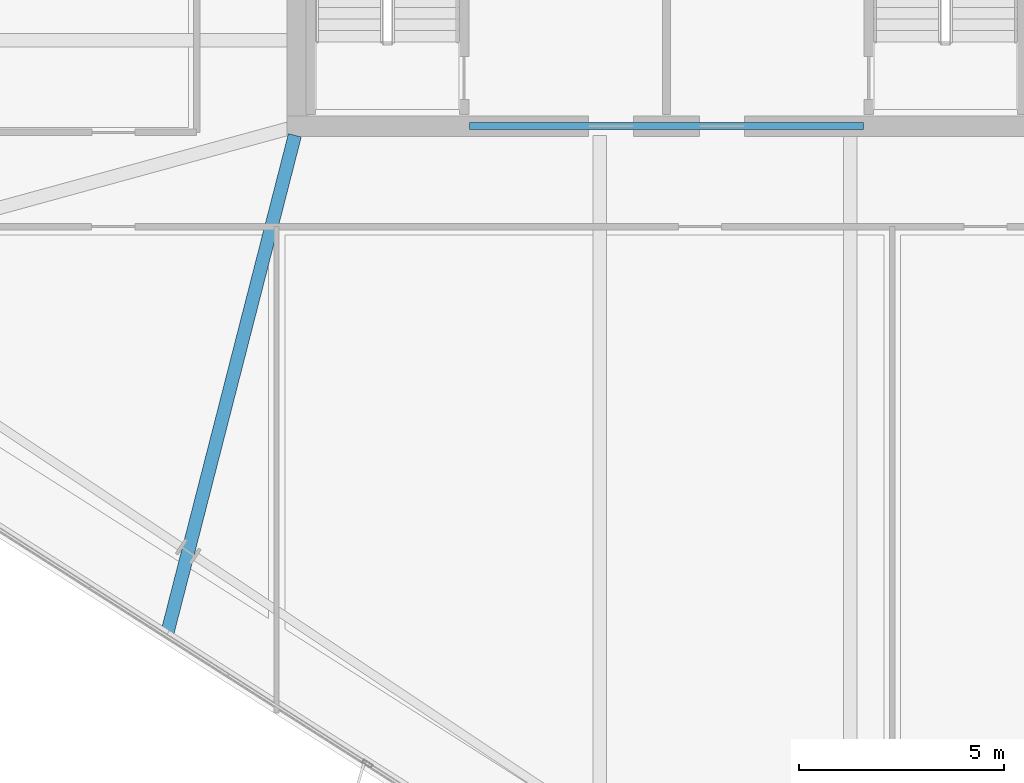
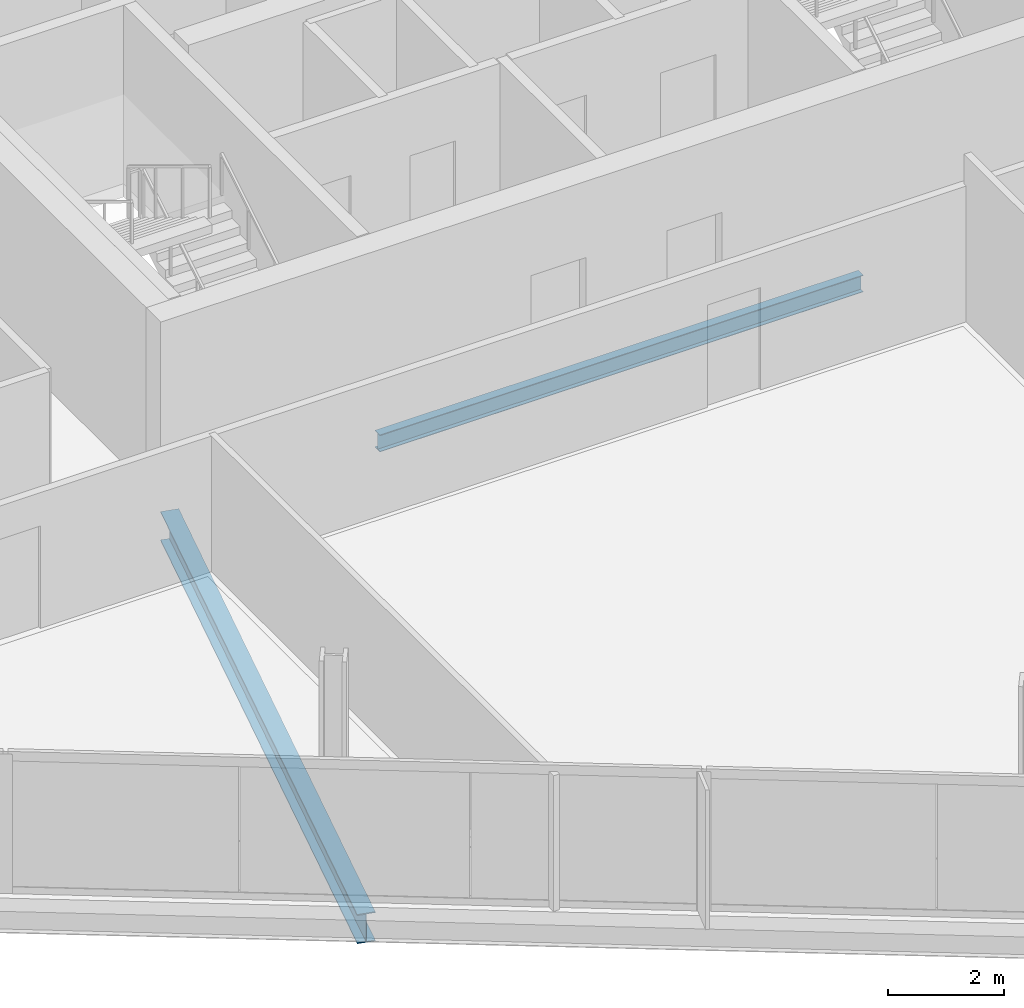
# One storey, part 7 of 30: 2 beams.
"""IFC4 building model written with IfcOpenShell, lengths in metres."""

from ifc_helpers import new_model, si_unit, direction, frame, origin, origin_2d, place, context, subcontext, project, spatial, i_section, extrude, material, material_profile, profile_set, type_object, element, save


model = new_model("IFC4")

# Units and contexts
model_context = context("Model", 3, precision=1e-05, world=origin(), true_north=direction((0.0, 1.0)))
body_context = subcontext(model_context, "Body", "Model", "MODEL_VIEW")
ifc_project = project(units=[si_unit("LENGTHUNIT", "METRE"), si_unit("AREAUNIT", "SQUARE_METRE"), si_unit("VOLUMEUNIT", "CUBIC_METRE"), si_unit("PLANEANGLEUNIT", "RADIAN"), si_unit("MASSUNIT", "GRAM", prefix="KILO")], contexts=[model_context])

# Site, building, storey
site_placement = place(None, origin())
site = spatial("IfcSite", under=ifc_project, at=site_placement, CompositionType="ELEMENT")
building_placement = place(site_placement, origin())
building = spatial("IfcBuilding", under=site, at=building_placement, Name="Haldenkirk Collegiate Tower", CompositionType="ELEMENT")
storey_placement = place(building_placement, frame((0.0, 0.0, 220.949951171875)))
storey = spatial("IfcBuildingStorey", under=building, at=storey_placement, Name="L55", CompositionType="ELEMENT", Elevation=220.949951171875)

# Beams
ifc_material = material(Name="Steel ASTM A992 Grade 50", Category="steel")
ifc_material_profile_1 = material_profile(ifc_material, i_section(OverallWidth=0.324951171875, OverallDepth=0.615966796875, WebThickness=0.013916015625, FlangeThickness=0.021484375, at=origin_2d()), Name="W24X117")
ifc_profile_set_1 = profile_set([ifc_material_profile_1], Name="Steel ASTM A992 Grade 50")
beam_type_1 = type_object("IfcBeamType", Name="BM-GIRDER-W24X117", PredefinedType="BEAM", material=ifc_profile_set_1)
beam_1_placement = place(storey_placement, frame((23.827392578125, 5.618408203125, -0.587890625), z_axis=(0.248215766102, 0.968704771052, 0.0), x_axis=(-0.968704771052, 0.248215766102, 0.0)))
element("IfcBeam", 1, at=beam_1_placement, inside=storey, type_object=beam_type_1, Name="L55 primary floor girder 15", PredefinedType="BEAM", context=body_context, shape_type="SweptSolid", body=[
    extrude(i_section(OverallWidth=0.324951171875, OverallDepth=0.615966796875, WebThickness=0.013916015625, FlangeThickness=0.021484375, at=origin_2d()), origin(), (0.0, 0.0, 1.0), 12.551513671875),
])
ifc_material_profile_2 = material_profile(ifc_material, i_section(OverallWidth=0.1708984375, OverallDepth=0.35595703125, WebThickness=0.007080078125, FlangeThickness=0.01171875, at=origin_2d()), Name="W14X34")
ifc_profile_set_2 = profile_set([ifc_material_profile_2], Name="Steel ASTM A992 Grade 50")
beam_type_2 = type_object("IfcBeamType", Name="BM-LINTEL-W14X34", PredefinedType="LINTEL", material=ifc_profile_set_2)
beam_2_placement = place(storey_placement, frame((31.199951171875, 18.0, -0.4580078125), z_axis=(1.0, 0.0, 0.0), x_axis=(0.0, 1.0, 0.0)))
element("IfcBeam", 2, at=beam_2_placement, inside=storey, type_object=beam_type_2, Name="L55 south core coupling lintel", PredefinedType="LINTEL", context=body_context, shape_type="SweptSolid", body=[
    extrude(i_section(OverallWidth=0.1708984375, OverallDepth=0.35595703125, WebThickness=0.007080078125, FlangeThickness=0.01171875, at=origin_2d()), origin(), (0.0, 0.0, 1.0), 9.60009765625),
])

save(model, "model.ifc")
